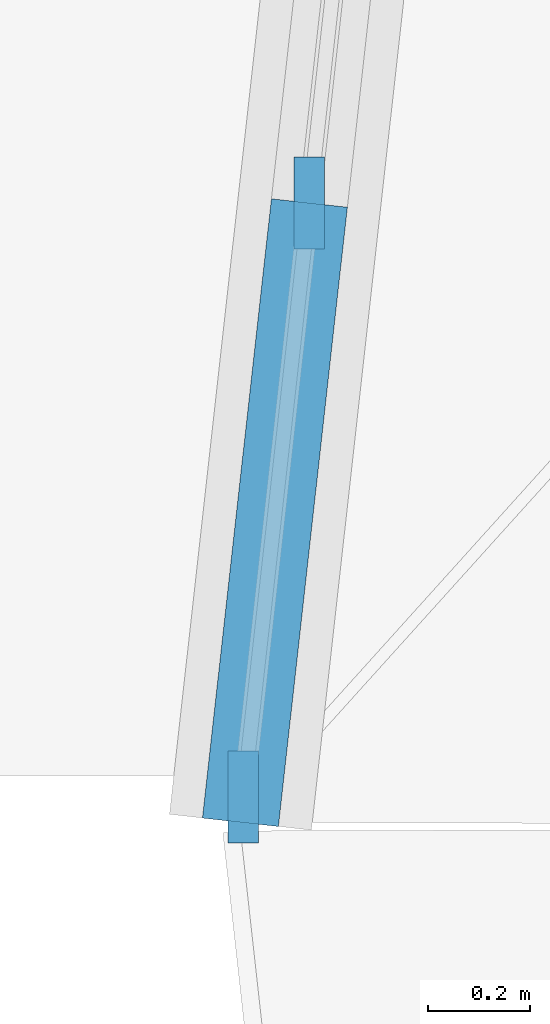
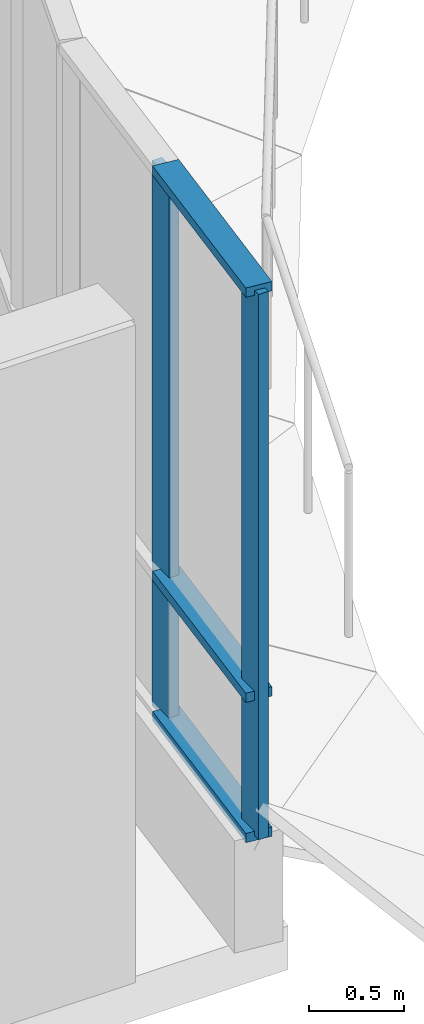
# One storey, part 6 of 41: 5 members, 1 element without a shape of its own.
"""IFC4 building model written with IfcOpenShell, lengths in metres."""

import ifcopenshell
import ifcopenshell.guid

model = None  # the IFC model being written
_history = None  # IfcOwnerHistory: only IFC2X3 demands one
_inside = {}  # id of a spatial element -> (the spatial element, [elements in it])
_under = {}  # id of a project, library or spatial element -> (it, [spatial elements below it])
_declared = {}  # id of a project -> (the project, [libraries it declares])
_typed = {}  # id of a type object -> (the type object, [elements of that type])
_made_of = {}  # id of a material, layer set ... -> (it, [elements and type objects made of it])


def new_model(schema):
    """Start an empty IFC model of exactly this schema.

    Asked for "IFC4X3", IfcOpenShell would pick the latest addendum, in which some entities
    have other attributes; the version numbers below select the first issue.
    IFC2X3 requires an IfcOwnerHistory on every rooted entity: one is made here for all.
    """
    global model, _history
    if schema == "IFC4X3":
        model = ifcopenshell.file(schema_version=(4, 3, 0, 0))
    else:
        model = ifcopenshell.file(schema=schema)
    _inside.clear()
    _under.clear()
    _declared.clear()
    _typed.clear()
    _made_of.clear()
    _history = None
    if model.schema == "IFC2X3":
        org = make("IfcOrganization", Name="unknown")
        user = make(
            "IfcPersonAndOrganization",
            ThePerson=make("IfcPerson", FamilyName="unknown"),
            TheOrganization=org,
        )
        app = make(
            "IfcApplication",
            ApplicationDeveloper=org,
            Version="unknown",
            ApplicationFullName="unknown",
            ApplicationIdentifier="unknown",
        )
        _history = make(
            "IfcOwnerHistory",
            OwningUser=user,
            OwningApplication=app,
            ChangeAction="ADDED",
            CreationDate=0,
        )
    return model


def make(cls, **values):
    """One entity of the class cls with the attributes given. An attribute that is None is left unset."""
    return model.create_entity(
        cls, **{name: value for name, value in values.items() if value is not None}
    )


def rooted(cls, **values):
    """An entity with a GlobalId (a new one), such as an element, a storey or a relation."""
    return make(cls, GlobalId=ifcopenshell.guid.new(), OwnerHistory=_history, **values)


def si_unit(unit_type, name, prefix=None):
    """IfcSIUnit, for example si_unit("LENGTHUNIT", "METRE", prefix="MILLI")."""
    return make("IfcSIUnit", UnitType=unit_type, Prefix=prefix, Name=name)


def assignment(units):
    """IfcUnitAssignment: the units of a project."""
    return None if units is None else make("IfcUnitAssignment", Units=units)


def point(xyz):
    """IfcCartesianPoint."""
    return None if xyz is None else make("IfcCartesianPoint", Coordinates=xyz)


def direction(xyz):
    """IfcDirection."""
    return None if xyz is None else make("IfcDirection", DirectionRatios=xyz)


def frame(location, z_axis=None, x_axis=None):
    """IfcAxis2Placement3D, a coordinate frame: its origin and axes. An axis left out is left unset."""
    return make(
        "IfcAxis2Placement3D",
        Location=point(location),
        Axis=direction(z_axis),
        RefDirection=direction(x_axis),
    )


def frame_2d(location, x_axis=None):
    """IfcAxis2Placement2D, a coordinate frame in the plane: its origin and x axis."""
    return make(
        "IfcAxis2Placement2D", Location=point(location), RefDirection=direction(x_axis)
    )


def origin():
    """The frame at (0, 0, 0) with its axes left unset."""
    return frame((0.0, 0.0, 0.0))


def origin_2d():
    """The frame at (0, 0) in the plane with its x axis left unset."""
    return frame_2d((0.0, 0.0))


def place(relative_to, where):
    """IfcLocalPlacement: puts the frame where relative to a parent placement (None: the world)."""
    return make(
        "IfcLocalPlacement", PlacementRelTo=relative_to, RelativePlacement=where
    )


def context(
    kind, dimensions, precision=None, world=None, true_north=None, identifier=None
):
    """IfcGeometricRepresentationContext, for example the 3D "Model" context."""
    return make(
        "IfcGeometricRepresentationContext",
        ContextIdentifier=identifier,
        ContextType=kind,
        CoordinateSpaceDimension=dimensions,
        Precision=precision,
        WorldCoordinateSystem=world,
        TrueNorth=true_north,
    )


def subcontext(parent, identifier, kind, view, scale=None):
    """IfcGeometricRepresentationSubContext, for example "Body" below "Model"."""
    return make(
        "IfcGeometricRepresentationSubContext",
        ContextIdentifier=identifier,
        ContextType=kind,
        ParentContext=parent,
        TargetScale=scale,
        TargetView=view,
    )


def project(units=None, contexts=None):
    """IfcProject with its units and contexts."""
    return rooted(
        "IfcProject",
        Name="project",
        RepresentationContexts=contexts,
        UnitsInContext=assignment(units),
    )


def spatial(cls, under=None, at=None, **own):
    """A site, building, storey or space (cls), placed at a placement, below another one or the project."""
    s = rooted(cls, ObjectPlacement=at, **own)
    if under is not None:
        _under.setdefault(under.id(), (under, []))[1].append(s)
    return s


def profile(cls, at=None, kind="AREA", **sizes):
    """A parametric profile (cls). Its sizes go by their IFC names, for example OverallWidth=200.0."""
    return make(cls, ProfileType=kind, Position=at, **sizes)


def rectangle(**sizes):
    """IfcRectangleProfileDef."""
    return profile("IfcRectangleProfileDef", **sizes)


def extrude(swept, where, along, depth):
    """IfcExtrudedAreaSolid: the profile swept, set in the frame where, extruded along a direction by depth."""
    return make(
        "IfcExtrudedAreaSolid",
        SweptArea=swept,
        Position=where,
        ExtrudedDirection=direction(along),
        Depth=depth,
    )


def shape(context_of_items, identifier, shape_type, items):
    """IfcShapeRepresentation: the items that make up one representation, for example the "Body"."""
    return make(
        "IfcShapeRepresentation",
        ContextOfItems=context_of_items,
        RepresentationIdentifier=identifier,
        RepresentationType=shape_type,
        Items=items,
    )


def material(Name=None, Category=None):
    """IfcMaterial."""
    return make("IfcMaterial", Name=Name, Category=Category)


def material_profile(
    of_material, cross_section, Name=None, Category=None, Priority=None
):
    """IfcMaterialProfile: a cross section and its material."""
    return make(
        "IfcMaterialProfile",
        Name=Name,
        Material=of_material,
        Profile=cross_section,
        Priority=Priority,
        Category=Category,
    )


def profile_set(profiles, Name=None, composite=None):
    """IfcMaterialProfileSet."""
    return make(
        "IfcMaterialProfileSet",
        Name=Name,
        MaterialProfiles=profiles,
        CompositeProfile=composite,
    )


def made_of(thing, what):
    """Note that an element or type object is made of a material, layer set ...; save() writes the relation."""
    if what is not None:
        _made_of.setdefault(what.id(), (what, []))[1].append(thing)
    return thing


def type_object(cls, material=None, **own):
    """A type object (cls), such as IfcWallType, which elements share."""
    return made_of(rooted(cls, **own), material)


def element(
    cls,
    number,
    at=None,
    inside=None,
    cuts=None,
    type_object=None,
    material=None,
    context=None,
    identifier="Body",
    shape_type=None,
    held_by="IfcProductDefinitionShape",
    body=None,
    shapes=None,
    **own,
):
    """One element of the class cls, such as IfcWall. Its Tag is "e" and its number.

    at: its placement. inside: the storey or other place that contains it. cuts: it is an
    opening in that element (IfcRelVoidsElement). A single representation is given by context,
    identifier, shape_type and body (its items); several are given by shapes. held_by: the class
    of the entity that holds the representations. save() writes the other relations.
    """
    e = rooted(cls, Tag="e%d" % number, ObjectPlacement=at, **own)
    if body is not None:
        shapes = [shape(context, identifier, shape_type, body)]
    if shapes is not None:
        e.Representation = make(held_by, Representations=shapes)
    if inside is not None:
        _inside.setdefault(inside.id(), (inside, []))[1].append(e)
    if cuts is not None:
        rooted(
            "IfcRelVoidsElement", RelatingBuildingElement=cuts, RelatedOpeningElement=e
        )
    if type_object is not None:
        _typed.setdefault(type_object.id(), (type_object, []))[1].append(e)
    return made_of(e, material)


def aggregate(whole, parts):
    """IfcRelAggregates: a whole, such as a stair, and the parts it consists of."""
    return rooted("IfcRelAggregates", RelatingObject=whole, RelatedObjects=parts)


def save(model, path):
    """Write the relations noted so far, then the file.

    IfcRelAggregates (storeys below a building ...), IfcRelContainedInSpatialStructure (elements
    in a storey), IfcRelDefinesByType, IfcRelAssociatesMaterial and IfcRelDeclares: one each for
    every whole, place, type object, material and project.
    """
    for whole, parts in _under.values():
        aggregate(whole, parts)
    for where, things in _inside.values():
        rooted(
            "IfcRelContainedInSpatialStructure",
            RelatedElements=things,
            RelatingStructure=where,
        )
    for kind, things in _typed.values():
        rooted("IfcRelDefinesByType", RelatedObjects=things, RelatingType=kind)
    for what, things in _made_of.values():
        rooted("IfcRelAssociatesMaterial", RelatedObjects=things, RelatingMaterial=what)
    for by, libraries in _declared.values():
        rooted("IfcRelDeclares", RelatingContext=by, RelatedDefinitions=libraries)
    model.write(path)


model = new_model("IFC4")

# Units and contexts
model_context = context("Model", 3, precision=1e-05, world=origin(), true_north=direction((0.0, 1.0)))
body_context = subcontext(model_context, "Body", "Model", "MODEL_VIEW")
ifc_project = project(units=[si_unit("LENGTHUNIT", "METRE"), si_unit("AREAUNIT", "SQUARE_METRE"), si_unit("VOLUMEUNIT", "CUBIC_METRE"), si_unit("PLANEANGLEUNIT", "RADIAN"), si_unit("MASSUNIT", "GRAM", prefix="KILO")], contexts=[model_context])

# Site, building, storey
site_placement = place(None, origin())
site = spatial("IfcSite", under=ifc_project, at=site_placement, CompositionType="ELEMENT")
building_placement = place(site_placement, origin())
building = spatial("IfcBuilding", under=site, at=building_placement, Name="Mzevani Central Library", CompositionType="ELEMENT")
storey_placement = place(building_placement, frame((0.0, 0.0, 13.800048828125)))
storey = spatial("IfcBuildingStorey", under=building, at=storey_placement, Name="L03", CompositionType="ELEMENT", Elevation=13.800048828125)

# Curtain wall, members
ifc_material_1 = material(Name="Thermally broken aluminium and Low-E triple glazing", Category="aluminium")
curtain_wall_type = type_object("IfcCurtainWallType", Name="Elliptical Court Unitised Curtain Wall", PredefinedType="NOTDEFINED", material=ifc_material_1)
curtain_wall_placement = place(storey_placement, origin())
curtain_wall = element("IfcCurtainWall", 1, at=curtain_wall_placement, inside=storey, type_object=curtain_wall_type, Name="L03 Elliptical Court Curtain Wall 24", PredefinedType="NOTDEFINED")
ifc_material_2 = material(Name="Thermally broken aluminium AW-6060", Category="aluminium")
ifc_material_profile_1 = material_profile(ifc_material_2, rectangle(XDim=0.06005859375, YDim=0.179931640625, at=origin_2d()), Name="ALU M60x180")
ifc_profile_set_1 = profile_set([ifc_material_profile_1], Name="Thermally broken aluminium AW-6060")
member_type_1 = type_object("IfcMemberType", Name="CW Mullion 60x180", PredefinedType="MULLION", material=ifc_profile_set_1)
member_1_placement = place(storey_placement, frame((52.3154296875, 77.22314453125, 0.719970703125), z_axis=(0.0, 0.0, 1.0), x_axis=(1.0, 0.0, 0.0)))
member_1 = element("IfcMember", 2, at=member_1_placement, type_object=member_type_1, Name="L03 Elliptical Court Curtain Wall 24 Mullion 2", PredefinedType="MULLION", context=body_context, shape_type="SweptSolid", body=[
    extrude(rectangle(XDim=0.06005859375, YDim=0.179931640625, at=origin_2d()), origin(), (0.0, 0.0, 1.0), 3.5),
])
member_2_placement = place(storey_placement, frame((52.185791015625, 76.05810546875, 0.719970703125), z_axis=(0.0, 0.0, 1.0), x_axis=(1.0, 0.0, 0.0)))
member_2 = element("IfcMember", 3, at=member_2_placement, type_object=member_type_1, Name="L03 Elliptical Court Curtain Wall 24 Mullion 3", PredefinedType="MULLION", context=body_context, shape_type="SweptSolid", body=[
    extrude(rectangle(XDim=0.06005859375, YDim=0.179931640625, at=origin_2d()), origin(), (0.0, 0.0, 1.0), 3.5),
])
ifc_material_profile_2 = material_profile(ifc_material_2, rectangle(XDim=0.14990234375, YDim=0.06005859375, at=origin_2d()), Name="ALU T60x150")
ifc_profile_set_2 = profile_set([ifc_material_profile_2], Name="Thermally broken aluminium AW-6060")
member_type_2 = type_object("IfcMemberType", Name="CW Transom 60x150", PredefinedType="USERDEFINED", material=ifc_profile_set_2)
member_3_placement = place(storey_placement, frame((52.3154296875, 77.22314453125, 0.719970703125), z_axis=(-0.110672708836, -0.993856906963, 0.0), x_axis=(0.993856906963, -0.110672708836, 0.0)))
member_3 = element("IfcMember", 4, at=member_3_placement, type_object=member_type_2, Name="L03 Elliptical Court Curtain Wall 24 Transom 4", ObjectType="TRANSOM", PredefinedType="USERDEFINED", context=body_context, shape_type="SweptSolid", body=[
    extrude(rectangle(XDim=0.14990234375, YDim=0.06005859375, at=origin_2d()), origin(), (0.0, 0.0, 1.0), 1.22216796875),
])
member_4_placement = place(storey_placement, frame((52.3154296875, 77.22314453125, 1.619873046875), z_axis=(-0.110672708836, -0.993856906963, 0.0), x_axis=(0.993856906963, -0.110672708836, 0.0)))
member_4 = element("IfcMember", 5, at=member_4_placement, type_object=member_type_2, Name="L03 Elliptical Court Curtain Wall 24 Transom 5", ObjectType="TRANSOM", PredefinedType="USERDEFINED", context=body_context, shape_type="SweptSolid", body=[
    extrude(rectangle(XDim=0.14990234375, YDim=0.06005859375, at=origin_2d()), origin(), (0.0, 0.0, 1.0), 1.22216796875),
])
member_5_placement = place(storey_placement, frame((52.3154296875, 77.22314453125, 4.219970703125), z_axis=(-0.110672708836, -0.993856906963, 0.0), x_axis=(0.993856906963, -0.110672708836, 0.0)))
member_5 = element("IfcMember", 6, at=member_5_placement, type_object=member_type_2, Name="L03 Elliptical Court Curtain Wall 24 Transom 6", ObjectType="TRANSOM", PredefinedType="USERDEFINED", context=body_context, shape_type="SweptSolid", body=[
    extrude(rectangle(XDim=0.14990234375, YDim=0.06005859375, at=origin_2d()), origin(), (0.0, 0.0, 1.0), 1.22216796875),
])
aggregate(curtain_wall, [member_1, member_2, member_3, member_4, member_5])

save(model, "model.ifc")
